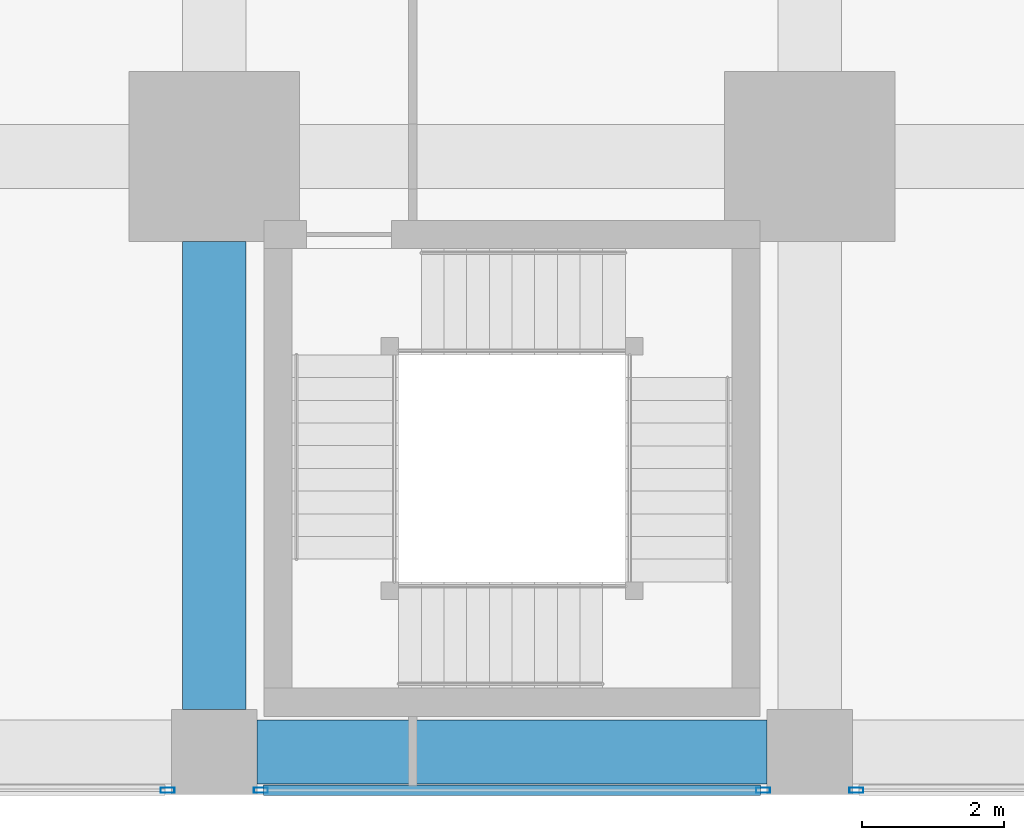
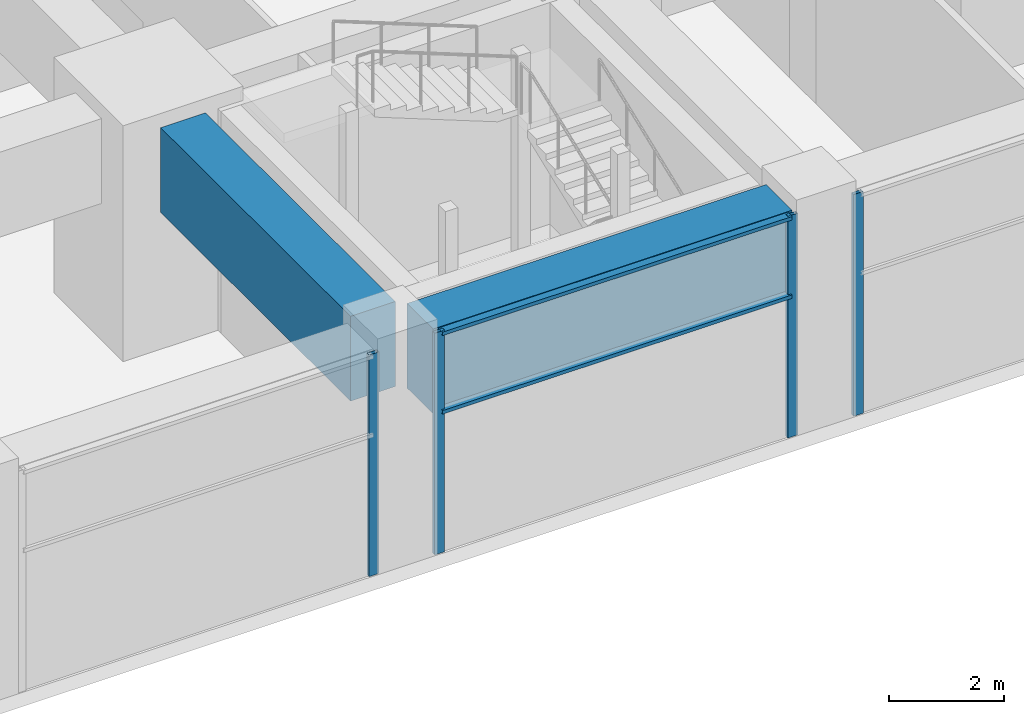
# One storey, part 15 of 49: 6 members, 2 beams, 3 elements without a shape of their own.
"""IFC4 building model written with IfcOpenShell, lengths in metres."""

from ifc_helpers import new_model, si_unit, direction, frame, origin, origin_2d, place, context, subcontext, project, spatial, rectangle, hollow_rectangle, extrude, material, material_profile, profile_set, type_object, element, aggregate, save


model = new_model("IFC4")

# Units and contexts
model_context = context("Model", 3, precision=1e-05, world=origin(), true_north=direction((0.0, 1.0)))
body_context = subcontext(model_context, "Body", "Model", "MODEL_VIEW")
ifc_project = project(units=[si_unit("LENGTHUNIT", "METRE"), si_unit("AREAUNIT", "SQUARE_METRE"), si_unit("VOLUMEUNIT", "CUBIC_METRE"), si_unit("PLANEANGLEUNIT", "RADIAN"), si_unit("MASSUNIT", "GRAM", prefix="KILO")], contexts=[model_context])

# Site, building, storey
site_placement = place(None, origin())
site = spatial("IfcSite", under=ifc_project, at=site_placement, CompositionType="ELEMENT")
building_placement = place(site_placement, origin())
building = spatial("IfcBuilding", under=site, at=building_placement, Name="Rekha Terrace Tower", CompositionType="ELEMENT")
storey_placement = place(building_placement, frame((0.0, 0.0, 5.39990234375)))
storey = spatial("IfcBuildingStorey", under=building, at=storey_placement, Name="L01", CompositionType="ELEMENT", Elevation=5.39990234375)

# Curtain wall, member
ifc_material_1 = material(Name="Aluminium framing", Category="aluminium")
curtain_wall_type = type_object("IfcCurtainWallType", Name="CW4 podium shopfront glazing", PredefinedType="USERDEFINED", material=ifc_material_1)
curtain_wall_1_placement = place(storey_placement, origin())
curtain_wall_1 = element("IfcCurtainWall", 1, at=curtain_wall_1_placement, inside=storey, type_object=curtain_wall_type, Name="CW4 shopfront curtain wall", ObjectType="SHOPFRONT CURTAIN WALL", PredefinedType="USERDEFINED")
ifc_material_2 = material(Name="Aluminium mullion section", Category="aluminium")
ifc_material_profile_1 = material_profile(ifc_material_2, hollow_rectangle(XDim=0.074951171875, YDim=0.199951171875, WallThickness=0.00390625, at=origin_2d()), Name="AL RHS 75x200")
ifc_profile_set_1 = profile_set([ifc_material_profile_1], Name="Aluminium mullion section")
member_type_1 = type_object("IfcMemberType", Name="CW4 mullion RHS 75 x 200", PredefinedType="MULLION", material=ifc_profile_set_1)
member_1_placement = place(storey_placement, frame((49.742431640625, -0.5400390625, 0.0), z_axis=(0.0, 0.0, 1.0), x_axis=(0.0, 1.0, 0.0)))
member_1 = element("IfcMember", 2, at=member_1_placement, type_object=member_type_1, Name="CW4 mullion 2", PredefinedType="MULLION", context=body_context, shape_type="SweptSolid", body=[
    extrude(hollow_rectangle(XDim=0.074951171875, YDim=0.199951171875, WallThickness=0.00390625, at=origin_2d()), origin(), (0.0, 0.0, 1.0), 4.7001953125),
])
aggregate(curtain_wall_1, [member_1])

# Curtain wall, members
curtain_wall_2_placement = place(storey_placement, origin())
curtain_wall_2 = element("IfcCurtainWall", 3, at=curtain_wall_2_placement, inside=storey, type_object=curtain_wall_type, Name="CW4 shopfront curtain wall", ObjectType="SHOPFRONT CURTAIN WALL", PredefinedType="USERDEFINED")
member_2_placement = place(storey_placement, frame((51.0576171875, -0.5400390625, 0.0), z_axis=(0.0, 0.0, 1.0), x_axis=(0.0, 1.0, 0.0)))
member_2 = element("IfcMember", 4, at=member_2_placement, type_object=member_type_1, Name="CW4 mullion 1", PredefinedType="MULLION", context=body_context, shape_type="SweptSolid", body=[
    extrude(hollow_rectangle(XDim=0.074951171875, YDim=0.199951171875, WallThickness=0.00390625, at=origin_2d()), origin(), (0.0, 0.0, 1.0), 4.7001953125),
])
member_3_placement = place(storey_placement, frame((58.142578125, -0.5400390625, 0.0), z_axis=(0.0, 0.0, 1.0), x_axis=(0.0, 1.0, 0.0)))
member_3 = element("IfcMember", 5, at=member_3_placement, type_object=member_type_1, Name="CW4 mullion 2", PredefinedType="MULLION", context=body_context, shape_type="SweptSolid", body=[
    extrude(hollow_rectangle(XDim=0.074951171875, YDim=0.199951171875, WallThickness=0.00390625, at=origin_2d()), origin(), (0.0, 0.0, 1.0), 4.7001953125),
])

# Curtain wall, member
curtain_wall_3_placement = place(storey_placement, origin())
curtain_wall_3 = element("IfcCurtainWall", 6, at=curtain_wall_3_placement, inside=storey, type_object=curtain_wall_type, Name="CW4 shopfront curtain wall", ObjectType="SHOPFRONT CURTAIN WALL", PredefinedType="USERDEFINED")
member_4_placement = place(storey_placement, frame((59.45751953125, -0.5400390625, 0.0), z_axis=(0.0, 0.0, 1.0), x_axis=(0.0, 1.0, 0.0)))
member_4 = element("IfcMember", 7, at=member_4_placement, type_object=member_type_1, Name="CW4 mullion 1", PredefinedType="MULLION", context=body_context, shape_type="SweptSolid", body=[
    extrude(hollow_rectangle(XDim=0.074951171875, YDim=0.199951171875, WallThickness=0.00390625, at=origin_2d()), origin(), (0.0, 0.0, 1.0), 4.7001953125),
])
aggregate(curtain_wall_3, [member_4])

# Member
ifc_material_3 = material(Name="Aluminium transom section", Category="aluminium")
ifc_material_profile_2 = material_profile(ifc_material_3, hollow_rectangle(XDim=0.14990234375, YDim=0.074951171875, WallThickness=0.0029296875, at=origin_2d()), Name="AL RHS 150x75")
ifc_profile_set_2 = profile_set([ifc_material_profile_2], Name="Aluminium transom section")
member_type_2 = type_object("IfcMemberType", Name="CW4 transom RHS 75 x 150", PredefinedType="USERDEFINED", material=ifc_profile_set_2)
member_5_placement = place(storey_placement, frame((51.094970703125, -0.5400390625, 3.0), z_axis=(1.0, 0.0, 0.0), x_axis=(0.0, 1.0, 0.0)))
member_5 = element("IfcMember", 8, at=member_5_placement, type_object=member_type_2, Name="CW4 transom 1.2", ObjectType="TRANSOM", PredefinedType="USERDEFINED", context=body_context, shape_type="SweptSolid", body=[
    extrude(hollow_rectangle(XDim=0.14990234375, YDim=0.074951171875, WallThickness=0.0029296875, at=origin_2d()), origin(), (0.0, 0.0, 1.0), 7.010009765625),
])

member_6_placement = place(storey_placement, frame((51.094970703125, -0.5400390625, 4.66259765625), z_axis=(1.0, 0.0, 0.0), x_axis=(0.0, 1.0, 0.0)))
member_6 = element("IfcMember", 9, at=member_6_placement, type_object=member_type_2, Name="CW4 transom 1.3", ObjectType="TRANSOM", PredefinedType="USERDEFINED", context=body_context, shape_type="SweptSolid", body=[
    extrude(hollow_rectangle(XDim=0.14990234375, YDim=0.074951171875, WallThickness=0.0029296875, at=origin_2d()), origin(), (0.0, 0.0, 1.0), 7.010009765625),
])

aggregate(curtain_wall_2, [member_2, member_3, member_5, member_6])

# Beams
ifc_material_4 = material(Name="Concrete M60", Category="concrete")
ifc_material_profile_3 = material_profile(ifc_material_4, rectangle(XDim=0.89990234375, YDim=1.800048828125, at=origin_2d()), Name="RC 900x1800")
ifc_profile_set_3 = profile_set([ifc_material_profile_3], Name="Concrete M60")
beam_type = type_object("IfcBeamType", Name="G1 900x1800 podium floor beam", PredefinedType="BEAM", material=ifc_profile_set_3)
beam_1_placement = place(storey_placement, frame((51.0, 0.0, 3.800048828125), z_axis=(1.0, 0.0, 0.0), x_axis=(0.0, 1.0, 0.0)))
element("IfcBeam", 10, at=beam_1_placement, inside=storey, type_object=beam_type, Name="Beam G1 7A-8A under L02", PredefinedType="BEAM", context=body_context, shape_type="SweptSolid", body=[
    extrude(rectangle(XDim=0.89990234375, YDim=1.800048828125, at=origin_2d()), origin(), (0.0, 0.0, 1.0), 7.199951171875),
])
beam_2_placement = place(storey_placement, frame((50.39990234375, 0.60009765625, 3.800048828125), z_axis=(0.0, 1.0, 0.0), x_axis=(-1.0, 0.0, 0.0)))
element("IfcBeam", 11, at=beam_2_placement, inside=storey, type_object=beam_type, Name="Beam G1 7A-7B under L02", PredefinedType="BEAM", context=body_context, shape_type="SweptSolid", body=[
    extrude(rectangle(XDim=0.89990234375, YDim=1.800048828125, at=origin_2d()), origin(), (0.0, 0.0, 1.0), 6.599853515625),
])

save(model, "model.ifc")
